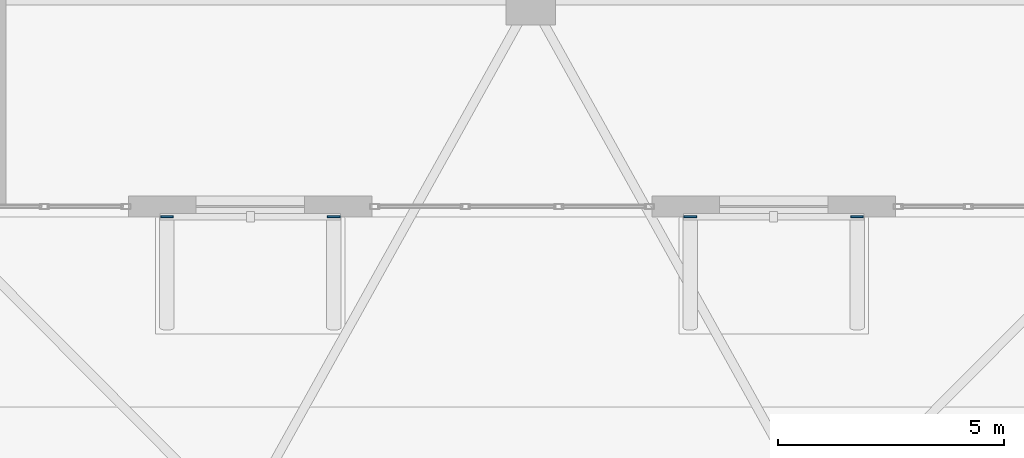
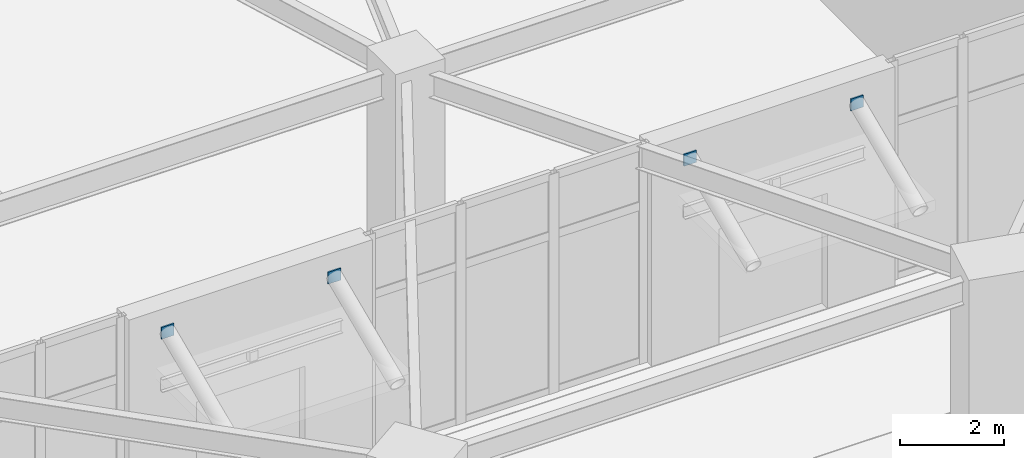
# One storey, part 16 of 30: 4 plates.
"""IFC4 building model written with IfcOpenShell, lengths in metres."""

from ifc_helpers import new_model, si_unit, direction, frame, origin, origin_2d, place, context, subcontext, project, spatial, rectangle, extrude, source, transform, mapped, material, layer, layer_set, type_object, element, save


model = new_model("IFC4")

# Units and contexts
model_context = context("Model", 3, precision=1e-05, world=origin(), true_north=direction((0.0, 1.0)))
body_context = subcontext(model_context, "Body", "Model", "MODEL_VIEW")
ifc_project = project(units=[si_unit("LENGTHUNIT", "METRE"), si_unit("AREAUNIT", "SQUARE_METRE"), si_unit("VOLUMEUNIT", "CUBIC_METRE"), si_unit("PLANEANGLEUNIT", "RADIAN"), si_unit("MASSUNIT", "GRAM", prefix="KILO")], contexts=[model_context])

# Site, building, storey
site_placement = place(None, origin())
site = spatial("IfcSite", under=ifc_project, at=site_placement, CompositionType="ELEMENT")
building_placement = place(site_placement, origin())
building = spatial("IfcBuilding", under=site, at=building_placement, Name="Liaohun Quay Tower", CompositionType="ELEMENT")
storey_placement = place(building_placement, origin())
storey = spatial("IfcBuildingStorey", under=building, at=storey_placement, Name="L01", CompositionType="ELEMENT", Elevation=0.0)

# Plates
ifc_material = material(Name="Steel Q420D outrigger node gusset plate", Category="steel")
ifc_layer = layer(ifc_material, 0.0400390625, Name="Steel Q420D outrigger node gusset plate", Category="steel")
ifc_layer_set = layer_set([ifc_layer], Name="Steel Q420D outrigger node gusset plate")
plate_type = type_object("IfcPlateType", Name="PLT-GUS-OUT", PredefinedType="USERDEFINED", material=ifc_layer_set)
shared_shape = source(origin(), body_context, "Body", "SweptSolid", [
    extrude(rectangle(XDim=0.280029296875, YDim=0.035888671875, at=origin_2d()), origin(), (0.0, 0.0, 1.0), 0.280029296875),
])
for number, where, z_axis, x_axis, name in (
    (1, (51.931884765625, 19.199951171875, 4.4599609375), (0.0, 0.0, 1.0), (1.0, 0.0, 0.0), "L01 Entrance Canopy E Tie Strut Anchor Gusset Plate 1"),
    (2, (55.632080078125, 19.199951171875, 4.4599609375), (0.0, 0.0, 1.0), (1.0, 0.0, 0.0), "L01 Entrance Canopy E Tie Strut Anchor Gusset Plate 2"),
    (3, (63.531982421875, 19.199951171875, 4.4599609375), (0.0, 0.0, 1.0), (1.0, 0.0, 0.0), "L01 Entrance Canopy W Tie Strut Anchor Gusset Plate 1"),
    (4, (67.23193359375, 19.199951171875, 4.4599609375), (0.0, 0.0, 1.0), (1.0, 0.0, 0.0), "L01 Entrance Canopy W Tie Strut Anchor Gusset Plate 2"),
):
    element("IfcPlate", number, at=place(storey_placement, frame(where, z_axis=z_axis, x_axis=x_axis)), inside=storey, type_object=plate_type, Name=name, ObjectType="GUSSET PLATE", PredefinedType="USERDEFINED", context=body_context, shape_type="MappedRepresentation", body=[
        mapped(shared_shape, transform((0.0, 0.0, 0.0), x_axis=(1.0, 0.0, 0.0), y_axis=(0.0, 1.0, 0.0), z_axis=(0.0, 0.0, 1.0), scale=1.0)),
    ])

save(model, "model.ifc")
